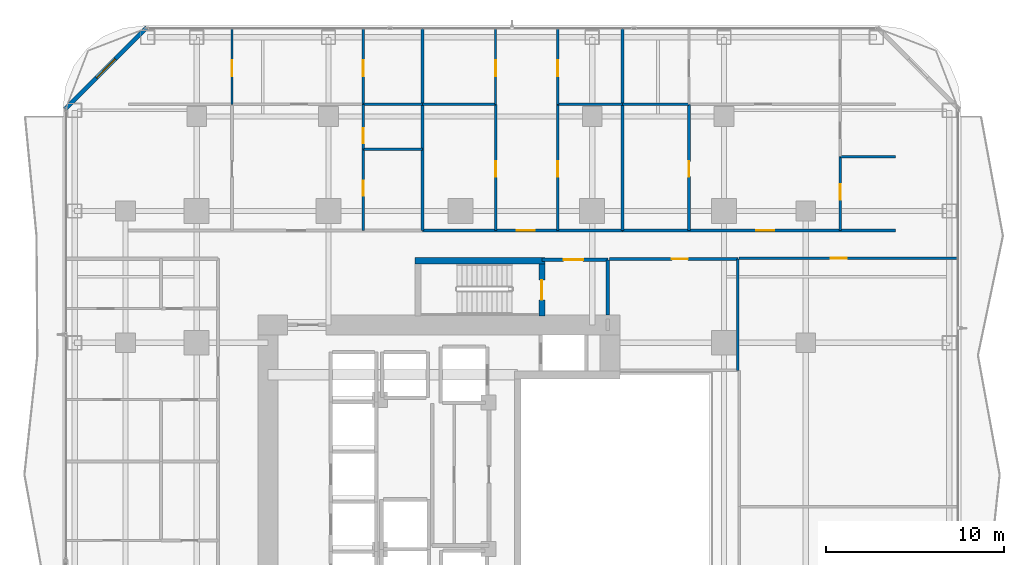
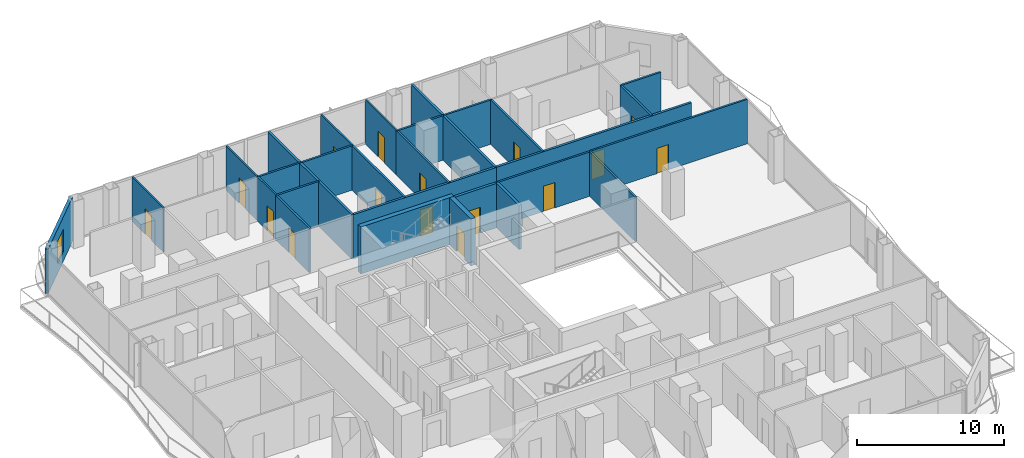
# One storey, part 24 of 30: 28 walls, 16 doors, 1 window, 17 openings.
"""IFC4 building model written with IfcOpenShell, lengths in metres."""

import ifcopenshell
import ifcopenshell.guid

model = None  # the IFC model being written
_history = None  # IfcOwnerHistory: only IFC2X3 demands one
_inside = {}  # id of a spatial element -> (the spatial element, [elements in it])
_under = {}  # id of a project, library or spatial element -> (it, [spatial elements below it])
_declared = {}  # id of a project -> (the project, [libraries it declares])
_typed = {}  # id of a type object -> (the type object, [elements of that type])
_made_of = {}  # id of a material, layer set ... -> (it, [elements and type objects made of it])


def new_model(schema):
    """Start an empty IFC model of exactly this schema.

    Asked for "IFC4X3", IfcOpenShell would pick the latest addendum, in which some entities
    have other attributes; the version numbers below select the first issue.
    IFC2X3 requires an IfcOwnerHistory on every rooted entity: one is made here for all.
    """
    global model, _history
    if schema == "IFC4X3":
        model = ifcopenshell.file(schema_version=(4, 3, 0, 0))
    else:
        model = ifcopenshell.file(schema=schema)
    _inside.clear()
    _under.clear()
    _declared.clear()
    _typed.clear()
    _made_of.clear()
    _history = None
    if model.schema == "IFC2X3":
        org = make("IfcOrganization", Name="unknown")
        user = make(
            "IfcPersonAndOrganization",
            ThePerson=make("IfcPerson", FamilyName="unknown"),
            TheOrganization=org,
        )
        app = make(
            "IfcApplication",
            ApplicationDeveloper=org,
            Version="unknown",
            ApplicationFullName="unknown",
            ApplicationIdentifier="unknown",
        )
        _history = make(
            "IfcOwnerHistory",
            OwningUser=user,
            OwningApplication=app,
            ChangeAction="ADDED",
            CreationDate=0,
        )
    return model


def make(cls, **values):
    """One entity of the class cls with the attributes given. An attribute that is None is left unset."""
    return model.create_entity(
        cls, **{name: value for name, value in values.items() if value is not None}
    )


def rooted(cls, **values):
    """An entity with a GlobalId (a new one), such as an element, a storey or a relation."""
    return make(cls, GlobalId=ifcopenshell.guid.new(), OwnerHistory=_history, **values)


def si_unit(unit_type, name, prefix=None):
    """IfcSIUnit, for example si_unit("LENGTHUNIT", "METRE", prefix="MILLI")."""
    return make("IfcSIUnit", UnitType=unit_type, Prefix=prefix, Name=name)


def assignment(units):
    """IfcUnitAssignment: the units of a project."""
    return None if units is None else make("IfcUnitAssignment", Units=units)


def point(xyz):
    """IfcCartesianPoint."""
    return None if xyz is None else make("IfcCartesianPoint", Coordinates=xyz)


def direction(xyz):
    """IfcDirection."""
    return None if xyz is None else make("IfcDirection", DirectionRatios=xyz)


def frame(location, z_axis=None, x_axis=None):
    """IfcAxis2Placement3D, a coordinate frame: its origin and axes. An axis left out is left unset."""
    return make(
        "IfcAxis2Placement3D",
        Location=point(location),
        Axis=direction(z_axis),
        RefDirection=direction(x_axis),
    )


def frame_2d(location, x_axis=None):
    """IfcAxis2Placement2D, a coordinate frame in the plane: its origin and x axis."""
    return make(
        "IfcAxis2Placement2D", Location=point(location), RefDirection=direction(x_axis)
    )


def origin():
    """The frame at (0, 0, 0) with its axes left unset."""
    return frame((0.0, 0.0, 0.0))


def place(relative_to, where):
    """IfcLocalPlacement: puts the frame where relative to a parent placement (None: the world)."""
    return make(
        "IfcLocalPlacement", PlacementRelTo=relative_to, RelativePlacement=where
    )


def context(
    kind, dimensions, precision=None, world=None, true_north=None, identifier=None
):
    """IfcGeometricRepresentationContext, for example the 3D "Model" context."""
    return make(
        "IfcGeometricRepresentationContext",
        ContextIdentifier=identifier,
        ContextType=kind,
        CoordinateSpaceDimension=dimensions,
        Precision=precision,
        WorldCoordinateSystem=world,
        TrueNorth=true_north,
    )


def subcontext(parent, identifier, kind, view, scale=None):
    """IfcGeometricRepresentationSubContext, for example "Body" below "Model"."""
    return make(
        "IfcGeometricRepresentationSubContext",
        ContextIdentifier=identifier,
        ContextType=kind,
        ParentContext=parent,
        TargetScale=scale,
        TargetView=view,
    )


def project(units=None, contexts=None):
    """IfcProject with its units and contexts."""
    return rooted(
        "IfcProject",
        Name="project",
        RepresentationContexts=contexts,
        UnitsInContext=assignment(units),
    )


def spatial(cls, under=None, at=None, **own):
    """A site, building, storey or space (cls), placed at a placement, below another one or the project."""
    s = rooted(cls, ObjectPlacement=at, **own)
    if under is not None:
        _under.setdefault(under.id(), (under, []))[1].append(s)
    return s


def profile(cls, at=None, kind="AREA", **sizes):
    """A parametric profile (cls). Its sizes go by their IFC names, for example OverallWidth=200.0."""
    return make(cls, ProfileType=kind, Position=at, **sizes)


def rectangle(**sizes):
    """IfcRectangleProfileDef."""
    return profile("IfcRectangleProfileDef", **sizes)


def extrude(swept, where, along, depth):
    """IfcExtrudedAreaSolid: the profile swept, set in the frame where, extruded along a direction by depth."""
    return make(
        "IfcExtrudedAreaSolid",
        SweptArea=swept,
        Position=where,
        ExtrudedDirection=direction(along),
        Depth=depth,
    )


def shape(context_of_items, identifier, shape_type, items):
    """IfcShapeRepresentation: the items that make up one representation, for example the "Body"."""
    return make(
        "IfcShapeRepresentation",
        ContextOfItems=context_of_items,
        RepresentationIdentifier=identifier,
        RepresentationType=shape_type,
        Items=items,
    )


def material(Name=None, Category=None):
    """IfcMaterial."""
    return make("IfcMaterial", Name=Name, Category=Category)


def layer(
    of_material, thickness, ventilated=None, Name=None, Category=None, Priority=None
):
    """IfcMaterialLayer: one layer of a wall or slab, of a material (None: an air gap)."""
    return make(
        "IfcMaterialLayer",
        Material=of_material,
        LayerThickness=thickness,
        IsVentilated=ventilated,
        Name=Name,
        Category=Category,
        Priority=Priority,
    )


def layer_set(layers, Name=None):
    """IfcMaterialLayerSet."""
    return make("IfcMaterialLayerSet", MaterialLayers=layers, LayerSetName=Name)


def made_of(thing, what):
    """Note that an element or type object is made of a material, layer set ...; save() writes the relation."""
    if what is not None:
        _made_of.setdefault(what.id(), (what, []))[1].append(thing)
    return thing


def type_object(cls, material=None, **own):
    """A type object (cls), such as IfcWallType, which elements share."""
    return made_of(rooted(cls, **own), material)


def element(
    cls,
    number,
    at=None,
    inside=None,
    cuts=None,
    type_object=None,
    material=None,
    context=None,
    identifier="Body",
    shape_type=None,
    held_by="IfcProductDefinitionShape",
    body=None,
    shapes=None,
    **own,
):
    """One element of the class cls, such as IfcWall. Its Tag is "e" and its number.

    at: its placement. inside: the storey or other place that contains it. cuts: it is an
    opening in that element (IfcRelVoidsElement). A single representation is given by context,
    identifier, shape_type and body (its items); several are given by shapes. held_by: the class
    of the entity that holds the representations. save() writes the other relations.
    """
    e = rooted(cls, Tag="e%d" % number, ObjectPlacement=at, **own)
    if body is not None:
        shapes = [shape(context, identifier, shape_type, body)]
    if shapes is not None:
        e.Representation = make(held_by, Representations=shapes)
    if inside is not None:
        _inside.setdefault(inside.id(), (inside, []))[1].append(e)
    if cuts is not None:
        rooted(
            "IfcRelVoidsElement", RelatingBuildingElement=cuts, RelatedOpeningElement=e
        )
    if type_object is not None:
        _typed.setdefault(type_object.id(), (type_object, []))[1].append(e)
    return made_of(e, material)


def fill(opening, filler):
    """IfcRelFillsElement: the door or window that sits in an opening."""
    return rooted(
        "IfcRelFillsElement",
        RelatingOpeningElement=opening,
        RelatedBuildingElement=filler,
    )


def aggregate(whole, parts):
    """IfcRelAggregates: a whole, such as a stair, and the parts it consists of."""
    return rooted("IfcRelAggregates", RelatingObject=whole, RelatedObjects=parts)


def save(model, path):
    """Write the relations noted so far, then the file.

    IfcRelAggregates (storeys below a building ...), IfcRelContainedInSpatialStructure (elements
    in a storey), IfcRelDefinesByType, IfcRelAssociatesMaterial and IfcRelDeclares: one each for
    every whole, place, type object, material and project.
    """
    for whole, parts in _under.values():
        aggregate(whole, parts)
    for where, things in _inside.values():
        rooted(
            "IfcRelContainedInSpatialStructure",
            RelatedElements=things,
            RelatingStructure=where,
        )
    for kind, things in _typed.values():
        rooted("IfcRelDefinesByType", RelatedObjects=things, RelatingType=kind)
    for what, things in _made_of.values():
        rooted("IfcRelAssociatesMaterial", RelatedObjects=things, RelatingMaterial=what)
    for by, libraries in _declared.values():
        rooted("IfcRelDeclares", RelatingContext=by, RelatedDefinitions=libraries)
    model.write(path)


model = new_model("IFC4")

# Units and contexts
model_context = context("Model", 3, precision=1e-05, world=origin(), true_north=direction((0.0, 1.0)))
body_context = subcontext(model_context, "Body", "Model", "MODEL_VIEW")
ifc_project = project(units=[si_unit("LENGTHUNIT", "METRE"), si_unit("AREAUNIT", "SQUARE_METRE"), si_unit("VOLUMEUNIT", "CUBIC_METRE"), si_unit("PLANEANGLEUNIT", "RADIAN"), si_unit("MASSUNIT", "GRAM", prefix="KILO")], contexts=[model_context])

# Site, building, storey
site_placement = place(None, origin())
site = spatial("IfcSite", under=ifc_project, at=site_placement, CompositionType="ELEMENT")
building_placement = place(site_placement, origin())
building = spatial("IfcBuilding", under=site, at=building_placement, Name="Khorvyn Point Tower", CompositionType="ELEMENT")
storey_placement = place(building_placement, frame((0.0, 0.0, 30.60009765625)))
storey = spatial("IfcBuildingStorey", under=building, at=storey_placement, Name="L08", CompositionType="ELEMENT", Elevation=30.60009765625)

# Wall, opening, door
ifc_material_1 = material(Name="Double acoustic gypsum on twin steel stud", Category="steel")
ifc_layer_1 = layer(ifc_material_1, 0.179931640625)
ifc_layer_set_1 = layer_set([ifc_layer_1], Name="Acoustic Double-Stud Apartment Demising Wall 180")
wall_type_1 = type_object("IfcWallType", Name="Acoustic Double-Stud Apartment Demising Wall 180", PredefinedType="PARTITIONING", material=ifc_layer_set_1)
wall_1_placement = place(storey_placement, frame((-2.12109375, 13.699951171875, 0.0), z_axis=(0.0, 0.0, 1.0), x_axis=(1.0, 0.0, 0.0)))
wall_1 = element("IfcWall", 1, at=wall_1_placement, inside=storey, type_object=wall_type_1, Name="Wall", PredefinedType="PARTITIONING", context=body_context, shape_type="SweptSolid", body=[
    extrude(rectangle(XDim=11.22607421875, YDim=0.179931640625, at=frame_2d((5.613037109375, 0.0))), origin(), (0.0, 0.0, 1.0), 3.679931640625),
])
opening_1_placement = place(wall_1_placement, frame((5.289794921875, 0.0, 0.0)))
opening_1 = element("IfcOpeningElement", 2, at=opening_1_placement, cuts=wall_1, Name="Opening ID-AP60", PredefinedType="OPENING", context=body_context, shape_type="SweptSolid", body=[
    extrude(rectangle(XDim=1.0, YDim=2.199951171875, at=frame_2d((0.5, 1.10009765625))), frame((0.0, 0.099853515625, 0.0), z_axis=(0.0, -1.0, 0.0), x_axis=(1.0, 0.0, 0.0)), (0.0, 0.0, 1.0), 0.199951171875),
])
ifc_material_2 = material(Name="Engineered hardwood fire-rated leaf", Category="wood")
door_type_1 = type_object("IfcDoorType", Name="Acoustic Solid-Core Timber Apartment Entrance Door 1000x2200", OperationType="NOTDEFINED", PredefinedType="DOOR", material=ifc_material_2)
door_1_placement = place(opening_1_placement, origin())
door_1 = element("IfcDoor", 3, at=door_1_placement, inside=storey, type_object=door_type_1, Name="Door", OperationType="SINGLE_SWING_RIGHT", OverallHeight=2.199951171875, OverallWidth=1.0, PredefinedType="DOOR", context=body_context, shape_type="SweptSolid", body=[
    extrude(rectangle(XDim=1.0, YDim=2.199951171875, at=frame_2d((0.5, 1.10009765625))), frame((0.0, 0.02490234375, 0.0), z_axis=(0.0, -1.0, 0.0), x_axis=(1.0, 0.0, 0.0)), (0.0, 0.0, 1.0), 0.050048828125),
])
fill(opening_1, door_1)

wall_2_placement = place(storey_placement, frame((9.10498046875, 13.699951171875, 0.0), z_axis=(0.0, 0.0, 1.0), x_axis=(1.0, 0.0, 0.0)))
wall_2 = element("IfcWall", 4, at=wall_2_placement, inside=storey, type_object=wall_type_1, Name="Wall", PredefinedType="PARTITIONING", context=body_context, shape_type="SweptSolid", body=[
    extrude(rectangle(XDim=15.31494140625, YDim=0.179931640625, at=frame_2d((7.657470703125, 0.0))), origin(), (0.0, 0.0, 1.0), 3.679931640625),
])
opening_2_placement = place(wall_2_placement, frame((7.516357421875, 0.0, 0.0)))
opening_2 = element("IfcOpeningElement", 5, at=opening_2_placement, cuts=wall_2, Name="Opening ID-AP60", PredefinedType="OPENING", context=body_context, shape_type="SweptSolid", body=[
    extrude(rectangle(XDim=1.0, YDim=2.199951171875, at=frame_2d((0.5, 1.10009765625))), frame((0.0, 0.099853515625, 0.0), z_axis=(0.0, -1.0, 0.0), x_axis=(1.0, 0.0, 0.0)), (0.0, 0.0, 1.0), 0.199951171875),
])
door_2_placement = place(opening_2_placement, origin())
door_2 = element("IfcDoor", 6, at=door_2_placement, inside=storey, type_object=door_type_1, Name="Door", OperationType="SINGLE_SWING_LEFT", OverallHeight=2.199951171875, OverallWidth=1.0, PredefinedType="DOOR", context=body_context, shape_type="SweptSolid", body=[
    extrude(rectangle(XDim=1.0, YDim=2.199951171875, at=frame_2d((0.5, 1.10009765625))), frame((0.0, 0.02490234375, 0.0), z_axis=(0.0, -1.0, 0.0), x_axis=(1.0, 0.0, 0.0)), (0.0, 0.0, 1.0), 0.050048828125),
])
fill(opening_2, door_2)

# Walls
for number, where, z_axis, x_axis, name in (
    (7, (-2.12109375, 13.699951171875, 0.0), (0.0, 0.0, 1.0), (0.0, 1.0, 0.0), "Wall"),
    (8, (9.10498046875, 13.699951171875, 0.0), (0.0, 0.0, 1.0), (0.0, 1.0, 0.0), "Wall"),
):
    element("IfcWall", number, at=place(storey_placement, frame(where, z_axis=z_axis, x_axis=x_axis)), inside=storey, type_object=wall_type_1, Name=name, PredefinedType="PARTITIONING", context=body_context, shape_type="SweptSolid", body=[
        extrude(rectangle(XDim=11.330078125, YDim=0.179931640625, at=frame_2d((5.6650390625, 0.0))), origin(), (0.0, 0.0, 1.0), 3.679931640625),
    ])

# Wall, opening, window
ifc_material_3 = material(Name="Pale anodised aluminium rainscreen on steel stud", Category="steel")
ifc_layer_2 = layer(ifc_material_3, 0.239990234375)
ifc_layer_set_2 = layer_set([ifc_layer_2], Name="Anodised Aluminium Insulated Corner Spandrel Wall 240")
wall_type_2 = type_object("IfcWallType", Name="Anodised Aluminium Insulated Corner Spandrel Wall 240", PredefinedType="SOLIDWALL", material=ifc_layer_set_2)
wall_3_placement = place(storey_placement, frame((-22.1923828125, 20.507568359375, 0.0), z_axis=(0.0, 0.0, 1.0), x_axis=(0.707106781187, 0.707106781187, 0.0)))
wall_3 = element("IfcWall", 9, at=wall_3_placement, inside=storey, type_object=wall_type_2, Name="L08 Rounded Corner Wall NW", PredefinedType="SOLIDWALL", context=body_context, shape_type="SweptSolid", body=[
    extrude(rectangle(XDim=6.48388671875, YDim=0.239990234375, at=frame_2d((3.241943359375, 0.0))), origin(), (0.0, 0.0, 1.0), 3.679931640625),
])
opening_3_placement = place(wall_3_placement, frame((2.491943359375, 0.0, 0.800048828125)))
opening_3 = element("IfcOpeningElement", 10, at=opening_3_placement, cuts=wall_3, Name="Opening WN-1518", PredefinedType="OPENING", context=body_context, shape_type="SweptSolid", body=[
    extrude(rectangle(XDim=1.5, YDim=1.85009765625, at=frame_2d((0.75, 0.925048828125))), frame((0.0, 0.1298828125, 0.0), z_axis=(0.0, -1.0, 0.0), x_axis=(1.0, 0.0, 0.0)), (0.0, 0.0, 1.0), 0.260009765625),
])
ifc_material_4 = material(Name="Anodised aluminium 6063-T6 and laminated Low-E glass", Category="aluminium")
window_type = type_object("IfcWindowType", Name="Anodised Aluminium Rounded-Corner Panoramic Window 1500x1850", PartitioningType="SINGLE_PANEL", PredefinedType="WINDOW", material=ifc_material_4)
window_placement = place(opening_3_placement, origin())
window = element("IfcWindow", 11, at=window_placement, inside=storey, type_object=window_type, Name="L08 Corner Panoramic Window NW", OverallHeight=1.85009765625, OverallWidth=1.5, PartitioningType="SINGLE_PANEL", PredefinedType="WINDOW", context=body_context, shape_type="SweptSolid", body=[
    extrude(rectangle(XDim=1.5, YDim=1.85009765625, at=frame_2d((0.75, 0.925048828125))), frame((0.0, 0.030029296875, 0.0), z_axis=(0.0, -1.0, 0.0), x_axis=(1.0, 0.0, 0.0)), (0.0, 0.0, 1.0), 0.06005859375),
])
fill(opening_3, window)

# Wall, opening, door
ifc_material_5 = material(Name="Concrete C40/50", Category="concrete")
ifc_layer_3 = layer(ifc_material_5, 0.199951171875)
ifc_layer_set_3 = layer_set([ifc_layer_3], Name="Concrete C40/50 Fire-Lobby Compartment Wall 200")
wall_type_3 = type_object("IfcWallType", Name="Concrete C40/50 Fire-Lobby Compartment Wall 200", PredefinedType="SOLIDWALL", material=ifc_layer_set_3)
wall_4_placement = place(storey_placement, frame((4.580078125, 12.06005859375, 0.0), z_axis=(0.0, 0.0, 1.0), x_axis=(1.0, 0.0, 0.0)))
wall_4 = element("IfcWall", 12, at=wall_4_placement, inside=storey, type_object=wall_type_3, Name="Wall", PredefinedType="SOLIDWALL", context=body_context, shape_type="SweptSolid", body=[
    extrude(rectangle(XDim=3.699951171875, YDim=0.199951171875, at=frame_2d((1.85009765625, 0.0))), origin(), (0.0, 0.0, 1.0), 3.679931640625),
])
opening_4_placement = place(wall_4_placement, frame((1.21240234375, 0.0, 0.0)))
opening_4 = element("IfcOpeningElement", 13, at=opening_4_placement, cuts=wall_4, Name="Opening ID-FL90", PredefinedType="OPENING", context=body_context, shape_type="SweptSolid", body=[
    extrude(rectangle(XDim=1.10009765625, YDim=2.14990234375, at=frame_2d((0.550048828125, 1.074951171875))), frame((0.0, 0.10986328125, 0.0), z_axis=(0.0, -1.0, 0.0), x_axis=(1.0, 0.0, 0.0)), (0.0, 0.0, 1.0), 0.219970703125),
])
ifc_material_6 = material(Name="Galvanised powder-coated steel", Category="steel")
door_type_2 = type_object("IfcDoorType", Name="Fire-Rated Steel Lobby and Stair Door 1100x2150", OperationType="NOTDEFINED", PredefinedType="DOOR", material=ifc_material_6)
door_3_placement = place(opening_4_placement, origin())
door_3 = element("IfcDoor", 14, at=door_3_placement, inside=storey, type_object=door_type_2, Name="Door", OperationType="SINGLE_SWING_RIGHT", OverallHeight=2.14990234375, OverallWidth=1.10009765625, PredefinedType="DOOR", context=body_context, shape_type="SweptSolid", body=[
    extrude(rectangle(XDim=1.10009765625, YDim=2.14990234375, at=frame_2d((0.550048828125, 1.074951171875))), frame((0.0, 0.02490234375, 0.0), z_axis=(0.0, -1.0, 0.0), x_axis=(1.0, 0.0, 0.0)), (0.0, 0.0, 1.0), 0.050048828125),
])
fill(opening_4, door_3)

# Walls
wall_5_placement = place(storey_placement, frame((8.280029296875, 8.949951171875, 0.0), z_axis=(0.0, 0.0, 1.0), x_axis=(0.0, 1.0, 0.0)))
element("IfcWall", 15, at=wall_5_placement, inside=storey, type_object=wall_type_3, Name="Wall", PredefinedType="SOLIDWALL", context=body_context, shape_type="SweptSolid", body=[
    extrude(rectangle(XDim=3.110107421875, YDim=0.199951171875, at=frame_2d((1.55517578125, 0.0))), origin(), (0.0, 0.0, 1.0), 3.679931640625),
])
ifc_layer_4 = layer(ifc_material_5, 0.35009765625)
ifc_layer_set_4 = layer_set([ifc_layer_4], Name="Concrete C40/50 Stair Shaft Structural Wall 350")
wall_type_4 = type_object("IfcWallType", Name="Concrete C40/50 Stair Shaft Structural Wall 350", PredefinedType="SHEAR", material=ifc_layer_set_4)
wall_6_placement = place(storey_placement, frame((-2.554931640625, 12.0, 0.0), z_axis=(0.0, 0.0, 1.0), x_axis=(1.0, 0.0, 0.0)))
element("IfcWall", 16, at=wall_6_placement, inside=storey, type_object=wall_type_4, Name="L08 ST-02 North Shaft Wall", PredefinedType="SHEAR", context=body_context, shape_type="SweptSolid", body=[
    extrude(rectangle(XDim=7.309814453125, YDim=0.35009765625, at=frame_2d((3.65478515625, 0.0))), origin(), (0.0, 0.0, 1.0), 3.89990234375),
])

# Wall, opening, door
wall_7_placement = place(storey_placement, frame((4.580078125, 11.824951171875, 0.0), z_axis=(0.0, 0.0, 1.0), x_axis=(0.0, -1.0, 0.0)))
wall_7 = element("IfcWall", 17, at=wall_7_placement, inside=storey, type_object=wall_type_4, Name="L08 ST-02 East Landing Door Wall", PredefinedType="SHEAR", context=body_context, shape_type="SweptSolid", body=[
    extrude(rectangle(XDim=2.925048828125, YDim=0.35009765625, at=frame_2d((1.46240234375, 0.0))), origin(), (0.0, 0.0, 1.0), 3.89990234375),
])
opening_5_placement = place(wall_7_placement, frame((0.91259765625, 0.0, 0.0)))
opening_5 = element("IfcOpeningElement", 18, at=opening_5_placement, cuts=wall_7, Name="Opening ID-FL90", PredefinedType="OPENING", context=body_context, shape_type="SweptSolid", body=[
    extrude(rectangle(XDim=1.10009765625, YDim=2.14990234375, at=frame_2d((0.550048828125, 1.074951171875))), frame((0.0, 0.18505859375, 0.0), z_axis=(0.0, -1.0, 0.0), x_axis=(1.0, 0.0, 0.0)), (0.0, 0.0, 1.0), 0.3701171875),
])
door_4_placement = place(opening_5_placement, origin())
door_4 = element("IfcDoor", 19, at=door_4_placement, inside=storey, type_object=door_type_2, Name="L08 ST-02 Smokeproof Landing Door", OperationType="SINGLE_SWING_LEFT", OverallHeight=2.14990234375, OverallWidth=1.10009765625, PredefinedType="DOOR", context=body_context, shape_type="SweptSolid", body=[
    extrude(rectangle(XDim=1.10009765625, YDim=2.14990234375, at=frame_2d((0.550048828125, 1.074951171875))), frame((0.0, 0.02490234375, 0.0), z_axis=(0.0, -1.0, 0.0), x_axis=(1.0, 0.0, 0.0)), (0.0, 0.0, 1.0), 0.050048828125),
])
fill(opening_5, door_4)

ifc_material_7 = material(Name="Gypsum plasterboard on steel stud", Category="steel")
ifc_layer_5 = layer(ifc_material_7, 0.1201171875)
ifc_layer_set_5 = layer_set([ifc_layer_5], Name="Gypsum Acoustic Stud Room Partition Wall 120")
wall_type_5 = type_object("IfcWallType", Name="Gypsum Acoustic Stud Room Partition Wall 120", PredefinedType="PARTITIONING", material=ifc_layer_set_5)
wall_8_placement = place(storey_placement, frame((-12.818115234375, 20.7900390625, 0.0), z_axis=(0.0, 0.0, 1.0), x_axis=(0.0, 1.0, 0.0)))
wall_8 = element("IfcWall", 20, at=wall_8_placement, inside=storey, type_object=wall_type_5, Name="Wall", PredefinedType="PARTITIONING", context=body_context, shape_type="SweptSolid", body=[
    extrude(rectangle(XDim=4.239990234375, YDim=0.1201171875, at=frame_2d((2.1201171875, 0.0))), origin(), (0.0, 0.0, 1.0), 3.679931640625),
])
opening_6_placement = place(wall_8_placement, frame((1.581298828125, 0.0, 0.0)))
opening_6 = element("IfcOpeningElement", 21, at=opening_6_placement, cuts=wall_8, Name="Opening ID-RM90", PredefinedType="OPENING", context=body_context, shape_type="SweptSolid", body=[
    extrude(rectangle(XDim=0.89990234375, YDim=2.10009765625, at=frame_2d((0.449951171875, 1.050048828125))), frame((0.0, 0.070068359375, 0.0), z_axis=(0.0, -1.0, 0.0), x_axis=(1.0, 0.0, 0.0)), (0.0, 0.0, 1.0), 0.14013671875),
])
ifc_material_8 = material(Name="Engineered oak veneer timber", Category="wood")
door_type_3 = type_object("IfcDoorType", Name="Flush Engineered Timber Room Door 900x2100", OperationType="NOTDEFINED", PredefinedType="DOOR", material=ifc_material_8)
door_5_placement = place(opening_6_placement, origin())
door_5 = element("IfcDoor", 22, at=door_5_placement, inside=storey, type_object=door_type_3, Name="Door", OperationType="SINGLE_SWING_RIGHT", OverallHeight=2.10009765625, OverallWidth=0.89990234375, PredefinedType="DOOR", context=body_context, shape_type="SweptSolid", body=[
    extrude(rectangle(XDim=0.89990234375, YDim=2.10009765625, at=frame_2d((0.449951171875, 1.050048828125))), frame((0.0, 0.02490234375, 0.0), z_axis=(0.0, -1.0, 0.0), x_axis=(1.0, 0.0, 0.0)), (0.0, 0.0, 1.0), 0.050048828125),
])
fill(opening_6, door_5)

wall_9_placement = place(storey_placement, frame((-5.449951171875, 18.26611328125, 0.0), z_axis=(0.0, 0.0, 1.0), x_axis=(0.0, 1.0, 0.0)))
wall_9 = element("IfcWall", 23, at=wall_9_placement, inside=storey, type_object=wall_type_5, Name="Wall", PredefinedType="PARTITIONING", context=body_context, shape_type="SweptSolid", body=[
    extrude(rectangle(XDim=2.52392578125, YDim=0.1201171875, at=frame_2d((1.261962890625, 0.0))), origin(), (0.0, 0.0, 1.0), 3.679931640625),
])
opening_7_placement = place(wall_9_placement, frame((0.329345703125, 0.0, 0.0)))
opening_7 = element("IfcOpeningElement", 24, at=opening_7_placement, cuts=wall_9, Name="Opening ID-WC85", PredefinedType="OPENING", context=body_context, shape_type="SweptSolid", body=[
    extrude(rectangle(XDim=0.85009765625, YDim=2.10009765625, at=frame_2d((0.425048828125, 1.050048828125))), frame((0.0, 0.070068359375, 0.0), z_axis=(0.0, -1.0, 0.0), x_axis=(1.0, 0.0, 0.0)), (0.0, 0.0, 1.0), 0.14013671875),
])
ifc_material_9 = material(Name="High-pressure laminate on moisture-resistant core", Category="wood")
door_type_4 = type_object("IfcDoorType", Name="Moisture-Resistant Accessible Washroom Door 850x2100", OperationType="NOTDEFINED", PredefinedType="DOOR", material=ifc_material_9)
door_6_placement = place(opening_7_placement, origin())
door_6 = element("IfcDoor", 25, at=door_6_placement, inside=storey, type_object=door_type_4, Name="Door", OperationType="SINGLE_SWING_RIGHT", OverallHeight=2.10009765625, OverallWidth=0.85009765625, PredefinedType="DOOR", context=body_context, shape_type="SweptSolid", body=[
    extrude(rectangle(XDim=0.85009765625, YDim=2.10009765625, at=frame_2d((0.425048828125, 1.050048828125))), frame((0.0, 0.02490234375, 0.0), z_axis=(0.0, -1.0, 0.0), x_axis=(1.0, 0.0, 0.0)), (0.0, 0.0, 1.0), 0.050048828125),
])
fill(opening_7, door_6)

wall_10_placement = place(storey_placement, frame((-5.449951171875, 20.7900390625, 0.0), z_axis=(0.0, 0.0, 1.0), x_axis=(0.0, 1.0, 0.0)))
wall_10 = element("IfcWall", 26, at=wall_10_placement, inside=storey, type_object=wall_type_5, Name="Wall", PredefinedType="PARTITIONING", context=body_context, shape_type="SweptSolid", body=[
    extrude(rectangle(XDim=4.239990234375, YDim=0.1201171875, at=frame_2d((2.1201171875, 0.0))), origin(), (0.0, 0.0, 1.0), 3.679931640625),
])
opening_8_placement = place(wall_10_placement, frame((1.581298828125, 0.0, 0.0)))
opening_8 = element("IfcOpeningElement", 27, at=opening_8_placement, cuts=wall_10, Name="Opening ID-RM90", PredefinedType="OPENING", context=body_context, shape_type="SweptSolid", body=[
    extrude(rectangle(XDim=0.89990234375, YDim=2.10009765625, at=frame_2d((0.449951171875, 1.050048828125))), frame((0.0, 0.070068359375, 0.0), z_axis=(0.0, -1.0, 0.0), x_axis=(1.0, 0.0, 0.0)), (0.0, 0.0, 1.0), 0.14013671875),
])
door_7_placement = place(opening_8_placement, origin())
door_7 = element("IfcDoor", 28, at=door_7_placement, inside=storey, type_object=door_type_3, Name="Door", OperationType="SINGLE_SWING_LEFT", OverallHeight=2.10009765625, OverallWidth=0.89990234375, PredefinedType="DOOR", context=body_context, shape_type="SweptSolid", body=[
    extrude(rectangle(XDim=0.89990234375, YDim=2.10009765625, at=frame_2d((0.449951171875, 1.050048828125))), frame((0.0, 0.02490234375, 0.0), z_axis=(0.0, -1.0, 0.0), x_axis=(1.0, 0.0, 0.0)), (0.0, 0.0, 1.0), 0.050048828125),
])
fill(opening_8, door_7)

wall_11_placement = place(storey_placement, frame((1.97900390625, 20.7900390625, 0.0), z_axis=(0.0, 0.0, 1.0), x_axis=(0.0, 1.0, 0.0)))
wall_11 = element("IfcWall", 29, at=wall_11_placement, inside=storey, type_object=wall_type_5, Name="Wall", PredefinedType="PARTITIONING", context=body_context, shape_type="SweptSolid", body=[
    extrude(rectangle(XDim=4.239990234375, YDim=0.1201171875, at=frame_2d((2.1201171875, 0.0))), origin(), (0.0, 0.0, 1.0), 3.679931640625),
])
opening_9_placement = place(wall_11_placement, frame((1.581298828125, 0.0, 0.0)))
opening_9 = element("IfcOpeningElement", 30, at=opening_9_placement, cuts=wall_11, Name="Opening ID-RM90", PredefinedType="OPENING", context=body_context, shape_type="SweptSolid", body=[
    extrude(rectangle(XDim=0.89990234375, YDim=2.10009765625, at=frame_2d((0.449951171875, 1.050048828125))), frame((0.0, 0.070068359375, 0.0), z_axis=(0.0, -1.0, 0.0), x_axis=(1.0, 0.0, 0.0)), (0.0, 0.0, 1.0), 0.14013671875),
])
door_8_placement = place(opening_9_placement, origin())
door_8 = element("IfcDoor", 31, at=door_8_placement, inside=storey, type_object=door_type_3, Name="Door", OperationType="SINGLE_SWING_RIGHT", OverallHeight=2.10009765625, OverallWidth=0.89990234375, PredefinedType="DOOR", context=body_context, shape_type="SweptSolid", body=[
    extrude(rectangle(XDim=0.89990234375, YDim=2.10009765625, at=frame_2d((0.449951171875, 1.050048828125))), frame((0.0, 0.02490234375, 0.0), z_axis=(0.0, -1.0, 0.0), x_axis=(1.0, 0.0, 0.0)), (0.0, 0.0, 1.0), 0.050048828125),
])
fill(opening_9, door_8)

wall_12_placement = place(storey_placement, frame((5.466064453125, 20.7900390625, 0.0), z_axis=(0.0, 0.0, 1.0), x_axis=(0.0, 1.0, 0.0)))
wall_12 = element("IfcWall", 32, at=wall_12_placement, inside=storey, type_object=wall_type_5, Name="Wall", PredefinedType="PARTITIONING", context=body_context, shape_type="SweptSolid", body=[
    extrude(rectangle(XDim=4.239990234375, YDim=0.1201171875, at=frame_2d((2.1201171875, 0.0))), origin(), (0.0, 0.0, 1.0), 3.679931640625),
])
opening_10_placement = place(wall_12_placement, frame((1.581298828125, 0.0, 0.0)))
opening_10 = element("IfcOpeningElement", 33, at=opening_10_placement, cuts=wall_12, Name="Opening ID-RM90", PredefinedType="OPENING", context=body_context, shape_type="SweptSolid", body=[
    extrude(rectangle(XDim=0.89990234375, YDim=2.10009765625, at=frame_2d((0.449951171875, 1.050048828125))), frame((0.0, 0.070068359375, 0.0), z_axis=(0.0, -1.0, 0.0), x_axis=(1.0, 0.0, 0.0)), (0.0, 0.0, 1.0), 0.14013671875),
])
door_9_placement = place(opening_10_placement, origin())
door_9 = element("IfcDoor", 34, at=door_9_placement, inside=storey, type_object=door_type_3, Name="Door", OperationType="SINGLE_SWING_RIGHT", OverallHeight=2.10009765625, OverallWidth=0.89990234375, PredefinedType="DOOR", context=body_context, shape_type="SweptSolid", body=[
    extrude(rectangle(XDim=0.89990234375, YDim=2.10009765625, at=frame_2d((0.449951171875, 1.050048828125))), frame((0.0, 0.02490234375, 0.0), z_axis=(0.0, -1.0, 0.0), x_axis=(1.0, 0.0, 0.0)), (0.0, 0.0, 1.0), 0.050048828125),
])
fill(opening_10, door_9)

ifc_material_10 = material(Name="Moisture-resistant gypsum and cement board", Category="gypsum")
ifc_layer_6 = layer(ifc_material_10, 0.14990234375)
ifc_layer_set_6 = layer_set([ifc_layer_6], Name="Moisture-Resistant Wet-Room Partition Wall 150")
wall_type_6 = type_object("IfcWallType", Name="Moisture-Resistant Wet-Room Partition Wall 150", PredefinedType="PARTITIONING", material=ifc_layer_set_6)
wall_13_placement = place(storey_placement, frame((8.360107421875, 12.10009765625, 0.0), z_axis=(0.0, 0.0, 1.0), x_axis=(1.0, 0.0, 0.0)))
wall_13 = element("IfcWall", 35, at=wall_13_placement, inside=storey, type_object=wall_type_6, Name="Wall", PredefinedType="PARTITIONING", context=body_context, shape_type="SweptSolid", body=[
    extrude(rectangle(XDim=7.219970703125, YDim=0.14990234375, at=frame_2d((3.60986328125, 0.0))), origin(), (0.0, 0.0, 1.0), 3.679931640625),
])
opening_11_placement = place(wall_13_placement, frame((3.512939453125, 0.0, 0.0)))
opening_11 = element("IfcOpeningElement", 36, at=opening_11_placement, cuts=wall_13, Name="Opening ID-RM90", PredefinedType="OPENING", context=body_context, shape_type="SweptSolid", body=[
    extrude(rectangle(XDim=0.89990234375, YDim=2.10009765625, at=frame_2d((0.449951171875, 1.050048828125))), frame((0.0, 0.0849609375, 0.0), z_axis=(0.0, -1.0, 0.0), x_axis=(1.0, 0.0, 0.0)), (0.0, 0.0, 1.0), 0.169921875),
])
door_10_placement = place(opening_11_placement, origin())
door_10 = element("IfcDoor", 37, at=door_10_placement, inside=storey, type_object=door_type_3, Name="Door", OperationType="SINGLE_SWING_RIGHT", OverallHeight=2.10009765625, OverallWidth=0.89990234375, PredefinedType="DOOR", context=body_context, shape_type="SweptSolid", body=[
    extrude(rectangle(XDim=0.89990234375, YDim=2.10009765625, at=frame_2d((0.449951171875, 1.050048828125))), frame((0.0, 0.02490234375, 0.0), z_axis=(0.0, -1.0, 0.0), x_axis=(1.0, 0.0, 0.0)), (0.0, 0.0, 1.0), 0.050048828125),
])
fill(opening_11, door_10)

wall_14_placement = place(storey_placement, frame((-5.449951171875, 13.699951171875, 0.0), z_axis=(0.0, 0.0, 1.0), x_axis=(0.0, 1.0, 0.0)))
wall_14 = element("IfcWall", 38, at=wall_14_placement, inside=storey, type_object=wall_type_6, Name="Wall", PredefinedType="PARTITIONING", context=body_context, shape_type="SweptSolid", body=[
    extrude(rectangle(XDim=4.566162109375, YDim=0.14990234375, at=frame_2d((2.283203125, 0.0))), origin(), (0.0, 0.0, 1.0), 3.679931640625),
])
opening_12_placement = place(wall_14_placement, frame((1.947509765625, 0.0, 0.0)))
opening_12 = element("IfcOpeningElement", 39, at=opening_12_placement, cuts=wall_14, Name="Opening ID-WC85", PredefinedType="OPENING", context=body_context, shape_type="SweptSolid", body=[
    extrude(rectangle(XDim=0.85009765625, YDim=2.10009765625, at=frame_2d((0.425048828125, 1.050048828125))), frame((0.0, 0.0849609375, 0.0), z_axis=(0.0, -1.0, 0.0), x_axis=(1.0, 0.0, 0.0)), (0.0, 0.0, 1.0), 0.169921875),
])
door_11_placement = place(opening_12_placement, origin())
door_11 = element("IfcDoor", 40, at=door_11_placement, inside=storey, type_object=door_type_4, Name="Door", OperationType="SINGLE_SWING_LEFT", OverallHeight=2.10009765625, OverallWidth=0.85009765625, PredefinedType="DOOR", context=body_context, shape_type="SweptSolid", body=[
    extrude(rectangle(XDim=0.85009765625, YDim=2.10009765625, at=frame_2d((0.425048828125, 1.050048828125))), frame((0.0, 0.02490234375, 0.0), z_axis=(0.0, -1.0, 0.0), x_axis=(1.0, 0.0, 0.0)), (0.0, 0.0, 1.0), 0.050048828125),
])
fill(opening_12, door_11)

wall_15_placement = place(storey_placement, frame((1.97900390625, 13.699951171875, 0.0), z_axis=(0.0, 0.0, 1.0), x_axis=(0.0, 1.0, 0.0)))
wall_15 = element("IfcWall", 41, at=wall_15_placement, inside=storey, type_object=wall_type_6, Name="Wall", PredefinedType="PARTITIONING", context=body_context, shape_type="SweptSolid", body=[
    extrude(rectangle(XDim=7.090087890625, YDim=0.14990234375, at=frame_2d((3.544921875, 0.0))), origin(), (0.0, 0.0, 1.0), 3.679931640625),
])
opening_13_placement = place(wall_15_placement, frame((3.0302734375, 0.0, 0.0)))
opening_13 = element("IfcOpeningElement", 42, at=opening_13_placement, cuts=wall_15, Name="Opening ID-WC85", PredefinedType="OPENING", context=body_context, shape_type="SweptSolid", body=[
    extrude(rectangle(XDim=0.85009765625, YDim=2.10009765625, at=frame_2d((0.425048828125, 1.050048828125))), frame((0.0, 0.0849609375, 0.0), z_axis=(0.0, -1.0, 0.0), x_axis=(1.0, 0.0, 0.0)), (0.0, 0.0, 1.0), 0.169921875),
])
door_12_placement = place(opening_13_placement, origin())
door_12 = element("IfcDoor", 43, at=door_12_placement, inside=storey, type_object=door_type_4, Name="Door", OperationType="SINGLE_SWING_LEFT", OverallHeight=2.10009765625, OverallWidth=0.85009765625, PredefinedType="DOOR", context=body_context, shape_type="SweptSolid", body=[
    extrude(rectangle(XDim=0.85009765625, YDim=2.10009765625, at=frame_2d((0.425048828125, 1.050048828125))), frame((0.0, 0.02490234375, 0.0), z_axis=(0.0, -1.0, 0.0), x_axis=(1.0, 0.0, 0.0)), (0.0, 0.0, 1.0), 0.050048828125),
])
fill(opening_13, door_12)

wall_16_placement = place(storey_placement, frame((5.466064453125, 13.699951171875, 0.0), z_axis=(0.0, 0.0, 1.0), x_axis=(0.0, 1.0, 0.0)))
wall_16 = element("IfcWall", 44, at=wall_16_placement, inside=storey, type_object=wall_type_6, Name="Wall", PredefinedType="PARTITIONING", context=body_context, shape_type="SweptSolid", body=[
    extrude(rectangle(XDim=7.090087890625, YDim=0.14990234375, at=frame_2d((3.544921875, 0.0))), origin(), (0.0, 0.0, 1.0), 3.679931640625),
])
opening_14_placement = place(wall_16_placement, frame((3.0302734375, 0.0, 0.0)))
opening_14 = element("IfcOpeningElement", 45, at=opening_14_placement, cuts=wall_16, Name="Opening ID-WC85", PredefinedType="OPENING", context=body_context, shape_type="SweptSolid", body=[
    extrude(rectangle(XDim=0.85009765625, YDim=2.10009765625, at=frame_2d((0.425048828125, 1.050048828125))), frame((0.0, 0.0849609375, 0.0), z_axis=(0.0, -1.0, 0.0), x_axis=(1.0, 0.0, 0.0)), (0.0, 0.0, 1.0), 0.169921875),
])
door_13_placement = place(opening_14_placement, origin())
door_13 = element("IfcDoor", 46, at=door_13_placement, inside=storey, type_object=door_type_4, Name="Door", OperationType="SINGLE_SWING_LEFT", OverallHeight=2.10009765625, OverallWidth=0.85009765625, PredefinedType="DOOR", context=body_context, shape_type="SweptSolid", body=[
    extrude(rectangle(XDim=0.85009765625, YDim=2.10009765625, at=frame_2d((0.425048828125, 1.050048828125))), frame((0.0, 0.02490234375, 0.0), z_axis=(0.0, -1.0, 0.0), x_axis=(1.0, 0.0, 0.0)), (0.0, 0.0, 1.0), 0.050048828125),
])
fill(opening_14, door_13)

wall_17_placement = place(storey_placement, frame((12.833984375, 13.699951171875, 0.0), z_axis=(0.0, 0.0, 1.0), x_axis=(0.0, 1.0, 0.0)))
wall_17 = element("IfcWall", 47, at=wall_17_placement, inside=storey, type_object=wall_type_6, Name="Wall", PredefinedType="PARTITIONING", context=body_context, shape_type="SweptSolid", body=[
    extrude(rectangle(XDim=7.090087890625, YDim=0.14990234375, at=frame_2d((3.544921875, 0.0))), origin(), (0.0, 0.0, 1.0), 3.679931640625),
])
opening_15_placement = place(wall_17_placement, frame((3.0302734375, 0.0, 0.0)))
opening_15 = element("IfcOpeningElement", 48, at=opening_15_placement, cuts=wall_17, Name="Opening ID-WC85", PredefinedType="OPENING", context=body_context, shape_type="SweptSolid", body=[
    extrude(rectangle(XDim=0.85009765625, YDim=2.10009765625, at=frame_2d((0.425048828125, 1.050048828125))), frame((0.0, 0.0849609375, 0.0), z_axis=(0.0, -1.0, 0.0), x_axis=(1.0, 0.0, 0.0)), (0.0, 0.0, 1.0), 0.169921875),
])
door_14_placement = place(opening_15_placement, origin())
door_14 = element("IfcDoor", 49, at=door_14_placement, inside=storey, type_object=door_type_4, Name="Door", OperationType="SINGLE_SWING_LEFT", OverallHeight=2.10009765625, OverallWidth=0.85009765625, PredefinedType="DOOR", context=body_context, shape_type="SweptSolid", body=[
    extrude(rectangle(XDim=0.85009765625, YDim=2.10009765625, at=frame_2d((0.425048828125, 1.050048828125))), frame((0.0, 0.02490234375, 0.0), z_axis=(0.0, -1.0, 0.0), x_axis=(1.0, 0.0, 0.0)), (0.0, 0.0, 1.0), 0.050048828125),
])
fill(opening_15, door_14)

wall_18_placement = place(storey_placement, frame((21.330078125, 13.699951171875, 0.0), z_axis=(0.0, 0.0, 1.0), x_axis=(0.0, 1.0, 0.0)))
wall_18 = element("IfcWall", 50, at=wall_18_placement, inside=storey, type_object=wall_type_6, Name="Wall", PredefinedType="PARTITIONING", context=body_context, shape_type="SweptSolid", body=[
    extrude(rectangle(XDim=4.14794921875, YDim=0.14990234375, at=frame_2d((2.073974609375, 0.0))), origin(), (0.0, 0.0, 1.0), 3.679931640625),
])
opening_16_placement = place(wall_18_placement, frame((1.736572265625, 0.0, 0.0)))
opening_16 = element("IfcOpeningElement", 51, at=opening_16_placement, cuts=wall_18, Name="Opening ID-WC85", PredefinedType="OPENING", context=body_context, shape_type="SweptSolid", body=[
    extrude(rectangle(XDim=0.85009765625, YDim=2.10009765625, at=frame_2d((0.425048828125, 1.050048828125))), frame((0.0, 0.0849609375, 0.0), z_axis=(0.0, -1.0, 0.0), x_axis=(1.0, 0.0, 0.0)), (0.0, 0.0, 1.0), 0.169921875),
])
door_15_placement = place(opening_16_placement, origin())
door_15 = element("IfcDoor", 52, at=door_15_placement, inside=storey, type_object=door_type_4, Name="Door", OperationType="SINGLE_SWING_LEFT", OverallHeight=2.10009765625, OverallWidth=0.85009765625, PredefinedType="DOOR", context=body_context, shape_type="SweptSolid", body=[
    extrude(rectangle(XDim=0.85009765625, YDim=2.10009765625, at=frame_2d((0.425048828125, 1.050048828125))), frame((0.0, 0.02490234375, 0.0), z_axis=(0.0, -1.0, 0.0), x_axis=(1.0, 0.0, 0.0)), (0.0, 0.0, 1.0), 0.050048828125),
])
fill(opening_16, door_15)

wall_19_placement = place(storey_placement, frame((15.64990234375, 12.139892578125, 0.0), z_axis=(0.0, 0.0, 1.0), x_axis=(1.0, 0.0, 0.0)))
wall_19 = element("IfcWall", 53, at=wall_19_placement, inside=storey, type_object=wall_type_6, Name="Wall", PredefinedType="PARTITIONING", context=body_context, shape_type="SweptSolid", body=[
    extrude(rectangle(XDim=12.27001953125, YDim=0.14990234375, at=frame_2d((6.135009765625, 0.0))), origin(), (0.0, 0.0, 1.0), 3.679931640625),
])
opening_17_placement = place(wall_19_placement, frame((5.150390625, 0.0, 0.0)))
opening_17 = element("IfcOpeningElement", 54, at=opening_17_placement, cuts=wall_19, Name="Opening ID-RM90", PredefinedType="OPENING", context=body_context, shape_type="SweptSolid", body=[
    extrude(rectangle(XDim=0.89990234375, YDim=2.10009765625, at=frame_2d((0.449951171875, 1.050048828125))), frame((0.0, 0.0849609375, 0.0), z_axis=(0.0, -1.0, 0.0), x_axis=(1.0, 0.0, 0.0)), (0.0, 0.0, 1.0), 0.169921875),
])
door_16_placement = place(opening_17_placement, origin())
door_16 = element("IfcDoor", 55, at=door_16_placement, inside=storey, type_object=door_type_3, Name="Door", OperationType="SINGLE_SWING_RIGHT", OverallHeight=2.10009765625, OverallWidth=0.89990234375, PredefinedType="DOOR", context=body_context, shape_type="SweptSolid", body=[
    extrude(rectangle(XDim=0.89990234375, YDim=2.10009765625, at=frame_2d((0.449951171875, 1.050048828125))), frame((0.0, 0.02490234375, 0.0), z_axis=(0.0, -1.0, 0.0), x_axis=(1.0, 0.0, 0.0)), (0.0, 0.0, 1.0), 0.050048828125),
])
fill(opening_17, door_16)

# Walls
wall_20_placement = place(storey_placement, frame((15.580078125, 5.85009765625, 0.0), z_axis=(0.0, 0.0, 1.0), x_axis=(0.0, 1.0, 0.0)))
element("IfcWall", 56, at=wall_20_placement, inside=storey, type_object=wall_type_6, Name="Wall", PredefinedType="PARTITIONING", context=body_context, shape_type="SweptSolid", body=[
    extrude(rectangle(XDim=6.25, YDim=0.14990234375, at=frame_2d((3.125, 0.0))), origin(), (0.0, 0.0, 1.0), 3.679931640625),
])
for number, where, z_axis, x_axis, name in (
    (57, (-5.449951171875, 18.26611328125, 0.0), (0.0, 0.0, 1.0), (1.0, 0.0, 0.0), "Wall"),
    (58, (-5.449951171875, 20.7900390625, 0.0), (0.0, 0.0, 1.0), (1.0, 0.0, 0.0), "Wall"),
):
    element("IfcWall", number, at=place(storey_placement, frame(where, z_axis=z_axis, x_axis=x_axis)), inside=storey, type_object=wall_type_6, Name=name, PredefinedType="PARTITIONING", context=body_context, shape_type="SweptSolid", body=[
        extrude(rectangle(XDim=3.328857421875, YDim=0.14990234375, at=frame_2d((1.66455078125, 0.0))), origin(), (0.0, 0.0, 1.0), 3.679931640625),
    ])
wall_21_placement = place(storey_placement, frame((-2.12109375, 20.7900390625, 0.0), z_axis=(0.0, 0.0, 1.0), x_axis=(1.0, 0.0, 0.0)))
element("IfcWall", 59, at=wall_21_placement, inside=storey, type_object=wall_type_6, Name="Wall", PredefinedType="PARTITIONING", context=body_context, shape_type="SweptSolid", body=[
    extrude(rectangle(XDim=4.10009765625, YDim=0.14990234375, at=frame_2d((2.050048828125, 0.0))), origin(), (0.0, 0.0, 1.0), 3.679931640625),
])
wall_22_placement = place(storey_placement, frame((5.466064453125, 20.7900390625, 0.0), z_axis=(0.0, 0.0, 1.0), x_axis=(1.0, 0.0, 0.0)))
element("IfcWall", 60, at=wall_22_placement, inside=storey, type_object=wall_type_6, Name="Wall", PredefinedType="PARTITIONING", context=body_context, shape_type="SweptSolid", body=[
    extrude(rectangle(XDim=3.638916015625, YDim=0.14990234375, at=frame_2d((1.8193359375, 0.0))), origin(), (0.0, 0.0, 1.0), 3.679931640625),
])
wall_23_placement = place(storey_placement, frame((9.10498046875, 20.7900390625, 0.0), z_axis=(0.0, 0.0, 1.0), x_axis=(1.0, 0.0, 0.0)))
element("IfcWall", 61, at=wall_23_placement, inside=storey, type_object=wall_type_6, Name="Wall", PredefinedType="PARTITIONING", context=body_context, shape_type="SweptSolid", body=[
    extrude(rectangle(XDim=3.72900390625, YDim=0.14990234375, at=frame_2d((1.864501953125, 0.0))), origin(), (0.0, 0.0, 1.0), 3.679931640625),
])
wall_24_placement = place(storey_placement, frame((21.330078125, 17.847900390625, 0.0), z_axis=(0.0, 0.0, 1.0), x_axis=(1.0, 0.0, 0.0)))
element("IfcWall", 62, at=wall_24_placement, inside=storey, type_object=wall_type_6, Name="Wall", PredefinedType="PARTITIONING", context=body_context, shape_type="SweptSolid", body=[
    extrude(rectangle(XDim=3.08984375, YDim=0.14990234375, at=frame_2d((1.544921875, 0.0))), origin(), (0.0, 0.0, 1.0), 3.679931640625),
])

save(model, "model.ifc")
